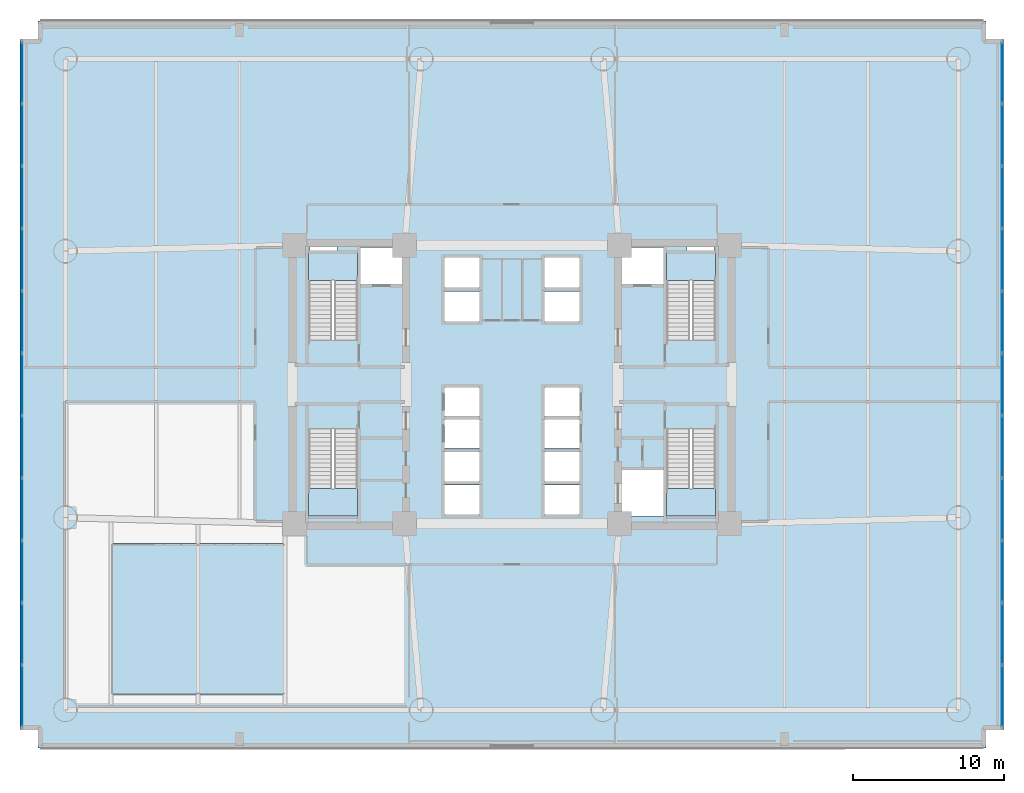
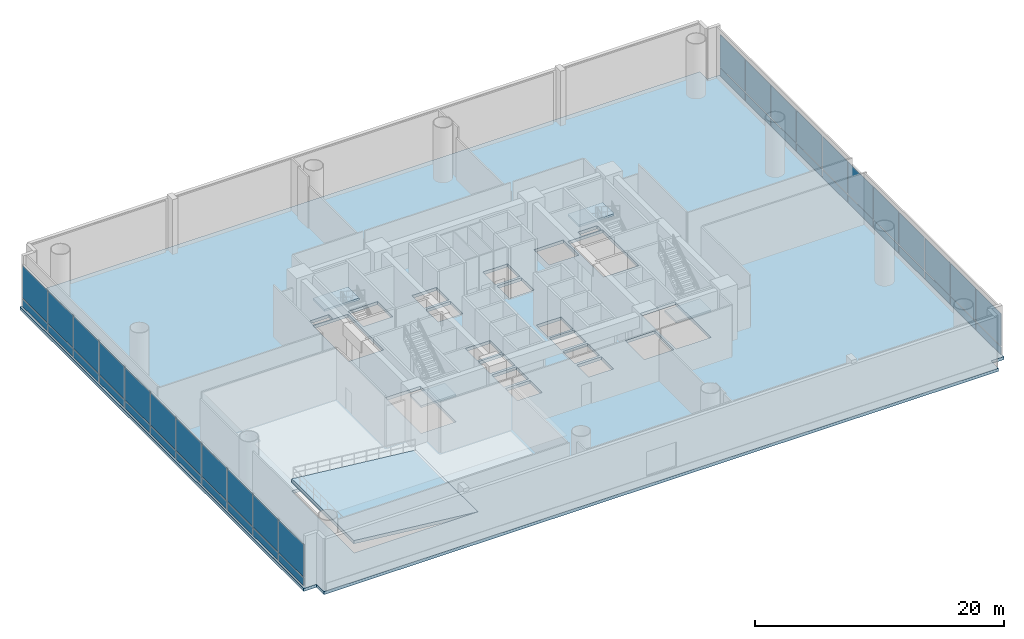
# One storey, part 6 of 15: 44 plates, 6 slabs, 6 elements without a shape of their own.
"""IFC4 building model written with IfcOpenShell, lengths in metres."""

from ifc_helpers import new_model, si_unit, direction, frame, origin, origin_2d, place, context, subcontext, project, spatial, polyline, rectangle, outline, extrude, source, transform, mapped, material, layer, layer_set, type_object, element, aggregate, save


model = new_model("IFC4")

# Units and contexts
model_context = context("Model", 3, precision=1e-05, world=origin(), true_north=direction((0.0, 1.0)))
body_context = subcontext(model_context, "Body", "Model", "MODEL_VIEW")
ifc_project = project(units=[si_unit("LENGTHUNIT", "METRE"), si_unit("AREAUNIT", "SQUARE_METRE"), si_unit("VOLUMEUNIT", "CUBIC_METRE"), si_unit("PLANEANGLEUNIT", "RADIAN"), si_unit("MASSUNIT", "GRAM", prefix="KILO")], contexts=[model_context])

# Site, building, storey
site_placement = place(None, origin())
site = spatial("IfcSite", under=ifc_project, at=site_placement, CompositionType="ELEMENT")
building_placement = place(site_placement, origin())
building = spatial("IfcBuilding", under=site, at=building_placement, Name="Zahravan Cultural Tower", CompositionType="ELEMENT")
storey_placement = place(building_placement, frame((0.0, 0.0, 12.60009765625)))
storey = spatial("IfcBuildingStorey", under=building, at=storey_placement, Name="L02", CompositionType="ELEMENT", Elevation=12.60009765625)

# Slabs
ifc_material_1 = material(Name="Concrete C45/55", Category="concrete")
ifc_layer_1 = layer(ifc_material_1, 0.320068359375)
ifc_layer_set_1 = layer_set([ifc_layer_1], Name="Concrete C45/55")
slab_type_1 = type_object("IfcSlabType", Name="SL-AUD-320", PredefinedType="FLOOR", material=ifc_layer_set_1)
slab_1_placement = place(storey_placement, frame((21.0, 6.5, 0.0), z_axis=(0.103780152108, 0.0, 0.994600261426), x_axis=(0.0, 1.0, 0.0)))
element("IfcSlab", 1, at=slab_1_placement, inside=storey, type_object=slab_type_1, Name="L02 Raked Auditorium Seating Bowl Slab", PredefinedType="FLOOR", context=body_context, shape_type="SweptSolid", body=[
    extrude(outline(polyline([(0.0, 0.0), (10.0, 0.0), (10.0, 11.562434121537047), (0.0, 11.562434121537047), (0.0, 0.0)])), origin(), (0.0, 0.0, -1.0), 0.320068359375),
])
ifc_layer_2 = layer(ifc_material_1, 0.300048828125)
ifc_layer_set_2 = layer_set([ifc_layer_2], Name="Concrete C45/55")
slab_type_2 = type_object("IfcSlabType", Name="SL-POD-300", PredefinedType="FLOOR", material=ifc_layer_set_2)
slab_2_placement = place(storey_placement, frame((0.0, 0.0, -0.300048828125)))
element("IfcSlab", 2, at=slab_2_placement, inside=storey, type_object=slab_type_2, Name="L02 Structural Floor Slab", PredefinedType="FLOOR", context=body_context, shape_type="SweptSolid", body=[
    extrude(outline(polyline([(68.5, 49.800048828125), (67.300048828125, 49.800048828125), (67.300048828125, 51.0), (4.699951171875, 51.0), (4.699951171875, 49.800048828125), (3.5, 49.800048828125), (3.5, 4.199951171875), (4.699951171875, 4.199951171875), (4.699951171875, 3.0), (67.300048828125, 3.0), (67.300048828125, 4.199951171875), (68.5, 4.199951171875), (68.5, 49.800048828125)]), holes=[polyline([(22.550048828125, 29.949951171875), (22.550048828125, 35.699951171875), (25.800048828125, 35.699951171875), (25.800048828125, 29.949951171875), (22.550048828125, 29.949951171875)]), polyline([(22.550048828125, 18.300048828125), (22.550048828125, 24.050048828125), (25.800048828125, 24.050048828125), (25.800048828125, 18.300048828125), (22.550048828125, 18.300048828125)]), polyline([(46.199951171875, 29.949951171875), (46.199951171875, 35.699951171875), (49.449951171875, 35.699951171875), (49.449951171875, 29.949951171875), (46.199951171875, 29.949951171875)]), polyline([(46.199951171875, 18.300048828125), (46.199951171875, 24.050048828125), (49.449951171875, 24.050048828125), (49.449951171875, 18.300048828125), (46.199951171875, 18.300048828125)]), polyline([(26.0, 33.60009765625), (26.0, 36.050048828125), (28.75, 36.050048828125), (28.75, 33.60009765625), (26.0, 33.60009765625)]), polyline([(43.25, 33.60009765625), (43.25, 36.050048828125), (46.0, 36.050048828125), (46.0, 33.60009765625), (43.25, 33.60009765625)]), polyline([(43.25, 18.300048828125), (43.25, 21.35009765625), (46.0, 21.35009765625), (46.0, 18.300048828125), (43.25, 18.300048828125)]), polyline([(31.550048828125, 33.39990234375), (31.550048828125, 35.39990234375), (33.85009765625, 35.39990234375), (33.85009765625, 33.39990234375), (31.550048828125, 33.39990234375)]), polyline([(31.550048828125, 31.14990234375), (31.550048828125, 33.14990234375), (33.85009765625, 33.14990234375), (33.85009765625, 31.14990234375), (31.550048828125, 31.14990234375)]), polyline([(38.14990234375, 33.39990234375), (38.14990234375, 35.39990234375), (40.449951171875, 35.39990234375), (40.449951171875, 33.39990234375), (38.14990234375, 33.39990234375)]), polyline([(38.14990234375, 31.14990234375), (38.14990234375, 33.14990234375), (40.449951171875, 33.14990234375), (40.449951171875, 31.14990234375), (38.14990234375, 31.14990234375)]), polyline([(31.550048828125, 20.60009765625), (31.550048828125, 22.550048828125), (33.85009765625, 22.550048828125), (33.85009765625, 20.60009765625), (31.550048828125, 20.60009765625)]), polyline([(31.550048828125, 18.39990234375), (31.550048828125, 20.35009765625), (33.85009765625, 20.35009765625), (33.85009765625, 18.39990234375), (31.550048828125, 18.39990234375)]), polyline([(38.14990234375, 20.60009765625), (38.14990234375, 22.550048828125), (40.449951171875, 22.550048828125), (40.449951171875, 20.60009765625), (38.14990234375, 20.60009765625)]), polyline([(38.14990234375, 18.39990234375), (38.14990234375, 20.35009765625), (40.449951171875, 20.35009765625), (40.449951171875, 18.39990234375), (38.14990234375, 18.39990234375)]), polyline([(31.550048828125, 24.89990234375), (31.550048828125, 26.800048828125), (33.85009765625, 26.800048828125), (33.85009765625, 24.89990234375), (31.550048828125, 24.89990234375)]), polyline([(31.550048828125, 22.800048828125), (31.550048828125, 24.699951171875), (33.85009765625, 24.699951171875), (33.85009765625, 22.800048828125), (31.550048828125, 22.800048828125)]), polyline([(38.14990234375, 24.89990234375), (38.14990234375, 26.800048828125), (40.449951171875, 26.800048828125), (40.449951171875, 24.89990234375), (38.14990234375, 24.89990234375)]), polyline([(38.14990234375, 22.800048828125), (38.14990234375, 24.699951171875), (40.449951171875, 24.699951171875), (40.449951171875, 22.800048828125), (38.14990234375, 22.800048828125)]), polyline([(22.64990234375, 35.800048828125), (22.64990234375, 36.419921875), (24.449951171875, 36.419921875), (24.449951171875, 35.800048828125), (22.64990234375, 35.800048828125)]), polyline([(47.550048828125, 35.800048828125), (47.550048828125, 36.419921875), (49.35009765625, 36.419921875), (49.35009765625, 35.800048828125), (47.550048828125, 35.800048828125)]), polyline([(9.5, 6.5), (9.5, 16.5), (21.0, 16.5), (21.0, 6.5), (9.5, 6.5)])]), origin(), (0.0, 0.0, 1.0), 0.300048828125),
])

# Stair, slab
stair_type = type_object("IfcStairType", Name="STR-DL-1550-540", PredefinedType="HALF_TURN_STAIR", material=ifc_material_1)
stair_1_placement = place(storey_placement, origin())
stair_1 = element("IfcStair", 3, at=stair_1_placement, inside=storey, type_object=stair_type, Name="L02 West Core North Exit Stair ST-W1", PredefinedType="HALF_TURN_STAIR")
ifc_layer_3 = layer(ifc_material_1, 0.199951171875)
ifc_layer_set_3 = layer_set([ifc_layer_3], Name="Concrete C45/55")
slab_type_3 = type_object("IfcSlabType", Name="SL-STAIR-LND200", PredefinedType="LANDING", material=ifc_layer_set_3)
slab_3_placement = place(storey_placement, frame((0.0, 0.0, 2.5)))
slab_3 = element("IfcSlab", 4, at=slab_3_placement, type_object=slab_type_3, Name="ST-W1 landing 1", PredefinedType="LANDING", context=body_context, shape_type="SweptSolid", body=[
    extrude(outline(polyline([(25.800048828125, 33.8701171875), (25.800048828125, 35.699951171875), (22.550048828125, 35.699951171875), (22.550048828125, 33.8701171875), (25.800048828125, 33.8701171875)])), origin(), (0.0, 0.0, 1.0), 0.199951171875),
])
aggregate(stair_1, [slab_3])

stair_2_placement = place(storey_placement, origin())
stair_2 = element("IfcStair", 5, at=stair_2_placement, inside=storey, type_object=stair_type, Name="L02 West Core South Exit Stair ST-W2", PredefinedType="HALF_TURN_STAIR")
slab_4_placement = place(storey_placement, frame((0.0, 0.0, 2.5)))
slab_4 = element("IfcSlab", 6, at=slab_4_placement, type_object=slab_type_3, Name="ST-W2 landing 1", PredefinedType="LANDING", context=body_context, shape_type="SweptSolid", body=[
    extrude(outline(polyline([(22.550048828125, 20.1298828125), (22.550048828125, 18.300048828125), (25.800048828125, 18.300048828125), (25.800048828125, 20.1298828125), (22.550048828125, 20.1298828125)])), origin(), (0.0, 0.0, 1.0), 0.199951171875),
])
aggregate(stair_2, [slab_4])

stair_3_placement = place(storey_placement, origin())
stair_3 = element("IfcStair", 7, at=stair_3_placement, inside=storey, type_object=stair_type, Name="L02 East Core North Exit Stair ST-E1", PredefinedType="HALF_TURN_STAIR")
slab_5_placement = place(storey_placement, frame((0.0, 0.0, 2.5)))
slab_5 = element("IfcSlab", 8, at=slab_5_placement, type_object=slab_type_3, Name="ST-E1 landing 1", PredefinedType="LANDING", context=body_context, shape_type="SweptSolid", body=[
    extrude(outline(polyline([(49.449951171875, 33.8701171875), (49.449951171875, 35.699951171875), (46.199951171875, 35.699951171875), (46.199951171875, 33.8701171875), (49.449951171875, 33.8701171875)])), origin(), (0.0, 0.0, 1.0), 0.199951171875),
])
aggregate(stair_3, [slab_5])

stair_4_placement = place(storey_placement, origin())
stair_4 = element("IfcStair", 9, at=stair_4_placement, inside=storey, type_object=stair_type, Name="L02 East Core South Exit Stair ST-E2", PredefinedType="HALF_TURN_STAIR")
slab_6_placement = place(storey_placement, frame((0.0, 0.0, 2.5)))
slab_6 = element("IfcSlab", 10, at=slab_6_placement, type_object=slab_type_3, Name="ST-E2 landing 1", PredefinedType="LANDING", context=body_context, shape_type="SweptSolid", body=[
    extrude(outline(polyline([(46.199951171875, 20.1298828125), (46.199951171875, 18.300048828125), (49.449951171875, 18.300048828125), (49.449951171875, 20.1298828125), (46.199951171875, 20.1298828125)])), origin(), (0.0, 0.0, 1.0), 0.199951171875),
])
aggregate(stair_4, [slab_6])

# Curtain wall, plates
ifc_material_2 = material(Name="Anodised bronze-aluminium mullion", Category="aluminium")
ifc_layer_4 = layer(ifc_material_2, 0.239990234375)
ifc_layer_set_4 = layer_set([ifc_layer_4], Name="Anodised bronze-aluminium mullion")
curtain_wall_type = type_object("IfcCurtainWallType", Name="CW-SYS-5", PredefinedType="USERDEFINED", material=ifc_layer_set_4)
curtain_wall_1_placement = place(storey_placement, origin())
curtain_wall_1 = element("IfcCurtainWall", 11, at=curtain_wall_1_placement, inside=storey, type_object=curtain_wall_type, Name="L02 Recessed Curtain Wall CW-5.1", ObjectType="RECESSED GLAZING", PredefinedType="USERDEFINED")
ifc_material_3 = material(Name="Low-E solar-control double glazing", Category="glass")
ifc_layer_5 = layer(ifc_material_3, 0.035888671875)
ifc_layer_set_5 = layer_set([ifc_layer_5], Name="Low-E solar-control double glazing")
plate_type = type_object("IfcPlateType", Name="CWP-CW-5", PredefinedType="CURTAIN_PANEL", material=ifc_layer_set_5)
shared_shape_1 = source(origin(), body_context, "Body", "SweptSolid", [
    extrude(rectangle(XDim=3.992431640625, YDim=0.035888671875, at=origin_2d()), origin(), (0.0, 0.0, 1.0), 0.7724609375),
])
plate_1_placement = place(storey_placement, frame((68.360107421875, 47.578857421875, 0.0849609375), z_axis=(0.0, 0.0, 1.0), x_axis=(0.0, -1.0, 0.0)))
plate_1 = element("IfcPlate", 12, at=plate_1_placement, type_object=plate_type, Name="CW-5 panel 1.1", PredefinedType="CURTAIN_PANEL", context=body_context, shape_type="MappedRepresentation", body=[
    mapped(shared_shape_1, transform((0.0, 0.0, 0.0), x_axis=(1.0, 0.0, 0.0), y_axis=(0.0, 1.0, 0.0), z_axis=(0.0, 0.0, 1.0), scale=1.0)),
])
plate_2_placement = place(storey_placement, frame((68.360107421875, 6.421142578125, 0.0849609375), z_axis=(0.0, 0.0, 1.0), x_axis=(0.0, -1.0, 0.0)))
plate_2 = element("IfcPlate", 13, at=plate_2_placement, type_object=plate_type, Name="CW-5 panel 11.1", PredefinedType="CURTAIN_PANEL", context=body_context, shape_type="MappedRepresentation", body=[
    mapped(shared_shape_1, transform((0.0, 0.0, 0.0), x_axis=(1.0, 0.0, 0.0), y_axis=(0.0, 1.0, 0.0), z_axis=(0.0, 0.0, 1.0), scale=1.0)),
])

curtain_wall_2_placement = place(storey_placement, origin())
curtain_wall_2 = element("IfcCurtainWall", 14, at=curtain_wall_2_placement, inside=storey, type_object=curtain_wall_type, Name="L02 Recessed Curtain Wall CW-5.2", ObjectType="RECESSED GLAZING", PredefinedType="USERDEFINED")
plate_3_placement = place(storey_placement, frame((3.639892578125, 6.421142578125, 0.0849609375), z_axis=(0.0, 0.0, 1.0), x_axis=(0.0, 1.0, 0.0)))
plate_3 = element("IfcPlate", 15, at=plate_3_placement, type_object=plate_type, Name="CW-5 panel 1.1", PredefinedType="CURTAIN_PANEL", context=body_context, shape_type="MappedRepresentation", body=[
    mapped(shared_shape_1, transform((0.0, 0.0, 0.0), x_axis=(1.0, 0.0, 0.0), y_axis=(0.0, 1.0, 0.0), z_axis=(0.0, 0.0, 1.0), scale=1.0)),
])
plate_4_placement = place(storey_placement, frame((3.639892578125, 47.578857421875, 0.0849609375), z_axis=(0.0, 0.0, 1.0), x_axis=(0.0, 1.0, 0.0)))
plate_4 = element("IfcPlate", 16, at=plate_4_placement, type_object=plate_type, Name="CW-5 panel 11.1", PredefinedType="CURTAIN_PANEL", context=body_context, shape_type="MappedRepresentation", body=[
    mapped(shared_shape_1, transform((0.0, 0.0, 0.0), x_axis=(1.0, 0.0, 0.0), y_axis=(0.0, 1.0, 0.0), z_axis=(0.0, 0.0, 1.0), scale=1.0)),
])

# Plate
shared_shape_2 = source(origin(), body_context, "Body", "SweptSolid", [
    extrude(rectangle(XDim=3.992431640625, YDim=0.035888671875, at=origin_2d()), origin(), (0.0, 0.0, 1.0), 3.1923828125),
])
plate_5_placement = place(storey_placement, frame((68.360107421875, 47.578857421875, 0.9423828125), z_axis=(0.0, 0.0, 1.0), x_axis=(0.0, -1.0, 0.0)))
plate_5 = element("IfcPlate", 17, at=plate_5_placement, type_object=plate_type, Name="CW-5 panel 1.2", PredefinedType="CURTAIN_PANEL", context=body_context, shape_type="MappedRepresentation", body=[
    mapped(shared_shape_2, transform((0.0, 0.0, 0.0), x_axis=(1.0, 0.0, 0.0), y_axis=(0.0, 1.0, 0.0), z_axis=(0.0, 0.0, 1.0), scale=1.0)),
])

plate_6_placement = place(storey_placement, frame((68.360107421875, 6.421142578125, 0.9423828125), z_axis=(0.0, 0.0, 1.0), x_axis=(0.0, -1.0, 0.0)))
plate_6 = element("IfcPlate", 18, at=plate_6_placement, type_object=plate_type, Name="CW-5 panel 11.2", PredefinedType="CURTAIN_PANEL", context=body_context, shape_type="MappedRepresentation", body=[
    mapped(shared_shape_2, transform((0.0, 0.0, 0.0), x_axis=(1.0, 0.0, 0.0), y_axis=(0.0, 1.0, 0.0), z_axis=(0.0, 0.0, 1.0), scale=1.0)),
])

plate_7_placement = place(storey_placement, frame((3.639892578125, 6.421142578125, 0.9423828125), z_axis=(0.0, 0.0, 1.0), x_axis=(0.0, 1.0, 0.0)))
plate_7 = element("IfcPlate", 19, at=plate_7_placement, type_object=plate_type, Name="CW-5 panel 1.2", PredefinedType="CURTAIN_PANEL", context=body_context, shape_type="MappedRepresentation", body=[
    mapped(shared_shape_2, transform((0.0, 0.0, 0.0), x_axis=(1.0, 0.0, 0.0), y_axis=(0.0, 1.0, 0.0), z_axis=(0.0, 0.0, 1.0), scale=1.0)),
])

plate_8_placement = place(storey_placement, frame((3.639892578125, 47.578857421875, 0.9423828125), z_axis=(0.0, 0.0, 1.0), x_axis=(0.0, 1.0, 0.0)))
plate_8 = element("IfcPlate", 20, at=plate_8_placement, type_object=plate_type, Name="CW-5 panel 11.2", PredefinedType="CURTAIN_PANEL", context=body_context, shape_type="MappedRepresentation", body=[
    mapped(shared_shape_2, transform((0.0, 0.0, 0.0), x_axis=(1.0, 0.0, 0.0), y_axis=(0.0, 1.0, 0.0), z_axis=(0.0, 0.0, 1.0), scale=1.0)),
])

shared_shape_3 = source(origin(), body_context, "Body", "SweptSolid", [
    extrude(rectangle(XDim=4.034912109375, YDim=0.035888671875, at=origin_2d()), origin(), (0.0, 0.0, 1.0), 0.7724609375),
])
plate_9_placement = place(storey_placement, frame((68.360107421875, 43.47998046875, 0.0849609375), z_axis=(0.0, 0.0, 1.0), x_axis=(0.0, -1.0, 0.0)))
plate_9 = element("IfcPlate", 21, at=plate_9_placement, type_object=plate_type, Name="CW-5 panel 2.1", PredefinedType="CURTAIN_PANEL", context=body_context, shape_type="MappedRepresentation", body=[
    mapped(shared_shape_3, transform((0.0, 0.0, 0.0), x_axis=(1.0, 0.0, 0.0), y_axis=(0.0, 1.0, 0.0), z_axis=(0.0, 0.0, 1.0), scale=1.0)),
])

plate_10_placement = place(storey_placement, frame((68.360107421875, 39.360107421875, 0.0849609375), z_axis=(0.0, 0.0, 1.0), x_axis=(0.0, -1.0, 0.0)))
plate_10 = element("IfcPlate", 22, at=plate_10_placement, type_object=plate_type, Name="CW-5 panel 3.1", PredefinedType="CURTAIN_PANEL", context=body_context, shape_type="MappedRepresentation", body=[
    mapped(shared_shape_3, transform((0.0, 0.0, 0.0), x_axis=(1.0, 0.0, 0.0), y_axis=(0.0, 1.0, 0.0), z_axis=(0.0, 0.0, 1.0), scale=1.0)),
])

plate_11_placement = place(storey_placement, frame((68.360107421875, 35.239990234375, 0.0849609375), z_axis=(0.0, 0.0, 1.0), x_axis=(0.0, -1.0, 0.0)))
plate_11 = element("IfcPlate", 23, at=plate_11_placement, type_object=plate_type, Name="CW-5 panel 4.1", PredefinedType="CURTAIN_PANEL", context=body_context, shape_type="MappedRepresentation", body=[
    mapped(shared_shape_3, transform((0.0, 0.0, 0.0), x_axis=(1.0, 0.0, 0.0), y_axis=(0.0, 1.0, 0.0), z_axis=(0.0, 0.0, 1.0), scale=1.0)),
])

plate_12_placement = place(storey_placement, frame((68.360107421875, 31.1201171875, 0.0849609375), z_axis=(0.0, 0.0, 1.0), x_axis=(0.0, -1.0, 0.0)))
plate_12 = element("IfcPlate", 24, at=plate_12_placement, type_object=plate_type, Name="CW-5 panel 5.1", PredefinedType="CURTAIN_PANEL", context=body_context, shape_type="MappedRepresentation", body=[
    mapped(shared_shape_3, transform((0.0, 0.0, 0.0), x_axis=(1.0, 0.0, 0.0), y_axis=(0.0, 1.0, 0.0), z_axis=(0.0, 0.0, 1.0), scale=1.0)),
])

plate_13_placement = place(storey_placement, frame((68.360107421875, 27.0, 0.0849609375), z_axis=(0.0, 0.0, 1.0), x_axis=(0.0, -1.0, 0.0)))
plate_13 = element("IfcPlate", 25, at=plate_13_placement, type_object=plate_type, Name="CW-5 panel 6.1", PredefinedType="CURTAIN_PANEL", context=body_context, shape_type="MappedRepresentation", body=[
    mapped(shared_shape_3, transform((0.0, 0.0, 0.0), x_axis=(1.0, 0.0, 0.0), y_axis=(0.0, 1.0, 0.0), z_axis=(0.0, 0.0, 1.0), scale=1.0)),
])

plate_14_placement = place(storey_placement, frame((68.360107421875, 22.8798828125, 0.0849609375), z_axis=(0.0, 0.0, 1.0), x_axis=(0.0, -1.0, 0.0)))
plate_14 = element("IfcPlate", 26, at=plate_14_placement, type_object=plate_type, Name="CW-5 panel 7.1", PredefinedType="CURTAIN_PANEL", context=body_context, shape_type="MappedRepresentation", body=[
    mapped(shared_shape_3, transform((0.0, 0.0, 0.0), x_axis=(1.0, 0.0, 0.0), y_axis=(0.0, 1.0, 0.0), z_axis=(0.0, 0.0, 1.0), scale=1.0)),
])

plate_15_placement = place(storey_placement, frame((68.360107421875, 18.760009765625, 0.0849609375), z_axis=(0.0, 0.0, 1.0), x_axis=(0.0, -1.0, 0.0)))
plate_15 = element("IfcPlate", 27, at=plate_15_placement, type_object=plate_type, Name="CW-5 panel 8.1", PredefinedType="CURTAIN_PANEL", context=body_context, shape_type="MappedRepresentation", body=[
    mapped(shared_shape_3, transform((0.0, 0.0, 0.0), x_axis=(1.0, 0.0, 0.0), y_axis=(0.0, 1.0, 0.0), z_axis=(0.0, 0.0, 1.0), scale=1.0)),
])

plate_16_placement = place(storey_placement, frame((68.360107421875, 14.639892578125, 0.0849609375), z_axis=(0.0, 0.0, 1.0), x_axis=(0.0, -1.0, 0.0)))
plate_16 = element("IfcPlate", 28, at=plate_16_placement, type_object=plate_type, Name="CW-5 panel 9.1", PredefinedType="CURTAIN_PANEL", context=body_context, shape_type="MappedRepresentation", body=[
    mapped(shared_shape_3, transform((0.0, 0.0, 0.0), x_axis=(1.0, 0.0, 0.0), y_axis=(0.0, 1.0, 0.0), z_axis=(0.0, 0.0, 1.0), scale=1.0)),
])

plate_17_placement = place(storey_placement, frame((68.360107421875, 10.52001953125, 0.0849609375), z_axis=(0.0, 0.0, 1.0), x_axis=(0.0, -1.0, 0.0)))
plate_17 = element("IfcPlate", 29, at=plate_17_placement, type_object=plate_type, Name="CW-5 panel 10.1", PredefinedType="CURTAIN_PANEL", context=body_context, shape_type="MappedRepresentation", body=[
    mapped(shared_shape_3, transform((0.0, 0.0, 0.0), x_axis=(1.0, 0.0, 0.0), y_axis=(0.0, 1.0, 0.0), z_axis=(0.0, 0.0, 1.0), scale=1.0)),
])

plate_18_placement = place(storey_placement, frame((3.639892578125, 10.52001953125, 0.0849609375), z_axis=(0.0, 0.0, 1.0), x_axis=(0.0, 1.0, 0.0)))
plate_18 = element("IfcPlate", 30, at=plate_18_placement, type_object=plate_type, Name="CW-5 panel 2.1", PredefinedType="CURTAIN_PANEL", context=body_context, shape_type="MappedRepresentation", body=[
    mapped(shared_shape_3, transform((0.0, 0.0, 0.0), x_axis=(1.0, 0.0, 0.0), y_axis=(0.0, 1.0, 0.0), z_axis=(0.0, 0.0, 1.0), scale=1.0)),
])

plate_19_placement = place(storey_placement, frame((3.639892578125, 14.639892578125, 0.0849609375), z_axis=(0.0, 0.0, 1.0), x_axis=(0.0, 1.0, 0.0)))
plate_19 = element("IfcPlate", 31, at=plate_19_placement, type_object=plate_type, Name="CW-5 panel 3.1", PredefinedType="CURTAIN_PANEL", context=body_context, shape_type="MappedRepresentation", body=[
    mapped(shared_shape_3, transform((0.0, 0.0, 0.0), x_axis=(1.0, 0.0, 0.0), y_axis=(0.0, 1.0, 0.0), z_axis=(0.0, 0.0, 1.0), scale=1.0)),
])

plate_20_placement = place(storey_placement, frame((3.639892578125, 18.760009765625, 0.0849609375), z_axis=(0.0, 0.0, 1.0), x_axis=(0.0, 1.0, 0.0)))
plate_20 = element("IfcPlate", 32, at=plate_20_placement, type_object=plate_type, Name="CW-5 panel 4.1", PredefinedType="CURTAIN_PANEL", context=body_context, shape_type="MappedRepresentation", body=[
    mapped(shared_shape_3, transform((0.0, 0.0, 0.0), x_axis=(1.0, 0.0, 0.0), y_axis=(0.0, 1.0, 0.0), z_axis=(0.0, 0.0, 1.0), scale=1.0)),
])

plate_21_placement = place(storey_placement, frame((3.639892578125, 22.8798828125, 0.0849609375), z_axis=(0.0, 0.0, 1.0), x_axis=(0.0, 1.0, 0.0)))
plate_21 = element("IfcPlate", 33, at=plate_21_placement, type_object=plate_type, Name="CW-5 panel 5.1", PredefinedType="CURTAIN_PANEL", context=body_context, shape_type="MappedRepresentation", body=[
    mapped(shared_shape_3, transform((0.0, 0.0, 0.0), x_axis=(1.0, 0.0, 0.0), y_axis=(0.0, 1.0, 0.0), z_axis=(0.0, 0.0, 1.0), scale=1.0)),
])

plate_22_placement = place(storey_placement, frame((3.639892578125, 27.0, 0.0849609375), z_axis=(0.0, 0.0, 1.0), x_axis=(0.0, 1.0, 0.0)))
plate_22 = element("IfcPlate", 34, at=plate_22_placement, type_object=plate_type, Name="CW-5 panel 6.1", PredefinedType="CURTAIN_PANEL", context=body_context, shape_type="MappedRepresentation", body=[
    mapped(shared_shape_3, transform((0.0, 0.0, 0.0), x_axis=(1.0, 0.0, 0.0), y_axis=(0.0, 1.0, 0.0), z_axis=(0.0, 0.0, 1.0), scale=1.0)),
])

plate_23_placement = place(storey_placement, frame((3.639892578125, 31.1201171875, 0.0849609375), z_axis=(0.0, 0.0, 1.0), x_axis=(0.0, 1.0, 0.0)))
plate_23 = element("IfcPlate", 35, at=plate_23_placement, type_object=plate_type, Name="CW-5 panel 7.1", PredefinedType="CURTAIN_PANEL", context=body_context, shape_type="MappedRepresentation", body=[
    mapped(shared_shape_3, transform((0.0, 0.0, 0.0), x_axis=(1.0, 0.0, 0.0), y_axis=(0.0, 1.0, 0.0), z_axis=(0.0, 0.0, 1.0), scale=1.0)),
])

plate_24_placement = place(storey_placement, frame((3.639892578125, 35.239990234375, 0.0849609375), z_axis=(0.0, 0.0, 1.0), x_axis=(0.0, 1.0, 0.0)))
plate_24 = element("IfcPlate", 36, at=plate_24_placement, type_object=plate_type, Name="CW-5 panel 8.1", PredefinedType="CURTAIN_PANEL", context=body_context, shape_type="MappedRepresentation", body=[
    mapped(shared_shape_3, transform((0.0, 0.0, 0.0), x_axis=(1.0, 0.0, 0.0), y_axis=(0.0, 1.0, 0.0), z_axis=(0.0, 0.0, 1.0), scale=1.0)),
])

plate_25_placement = place(storey_placement, frame((3.639892578125, 39.360107421875, 0.0849609375), z_axis=(0.0, 0.0, 1.0), x_axis=(0.0, 1.0, 0.0)))
plate_25 = element("IfcPlate", 37, at=plate_25_placement, type_object=plate_type, Name="CW-5 panel 9.1", PredefinedType="CURTAIN_PANEL", context=body_context, shape_type="MappedRepresentation", body=[
    mapped(shared_shape_3, transform((0.0, 0.0, 0.0), x_axis=(1.0, 0.0, 0.0), y_axis=(0.0, 1.0, 0.0), z_axis=(0.0, 0.0, 1.0), scale=1.0)),
])

plate_26_placement = place(storey_placement, frame((3.639892578125, 43.47998046875, 0.0849609375), z_axis=(0.0, 0.0, 1.0), x_axis=(0.0, 1.0, 0.0)))
plate_26 = element("IfcPlate", 38, at=plate_26_placement, type_object=plate_type, Name="CW-5 panel 10.1", PredefinedType="CURTAIN_PANEL", context=body_context, shape_type="MappedRepresentation", body=[
    mapped(shared_shape_3, transform((0.0, 0.0, 0.0), x_axis=(1.0, 0.0, 0.0), y_axis=(0.0, 1.0, 0.0), z_axis=(0.0, 0.0, 1.0), scale=1.0)),
])

shared_shape_4 = source(origin(), body_context, "Body", "SweptSolid", [
    extrude(rectangle(XDim=4.034912109375, YDim=0.035888671875, at=origin_2d()), origin(), (0.0, 0.0, 1.0), 3.1923828125),
])
plate_27_placement = place(storey_placement, frame((68.360107421875, 43.47998046875, 0.9423828125), z_axis=(0.0, 0.0, 1.0), x_axis=(0.0, -1.0, 0.0)))
plate_27 = element("IfcPlate", 39, at=plate_27_placement, type_object=plate_type, Name="CW-5 panel 2.2", PredefinedType="CURTAIN_PANEL", context=body_context, shape_type="MappedRepresentation", body=[
    mapped(shared_shape_4, transform((0.0, 0.0, 0.0), x_axis=(1.0, 0.0, 0.0), y_axis=(0.0, 1.0, 0.0), z_axis=(0.0, 0.0, 1.0), scale=1.0)),
])

plate_28_placement = place(storey_placement, frame((68.360107421875, 39.360107421875, 0.9423828125), z_axis=(0.0, 0.0, 1.0), x_axis=(0.0, -1.0, 0.0)))
plate_28 = element("IfcPlate", 40, at=plate_28_placement, type_object=plate_type, Name="CW-5 panel 3.2", PredefinedType="CURTAIN_PANEL", context=body_context, shape_type="MappedRepresentation", body=[
    mapped(shared_shape_4, transform((0.0, 0.0, 0.0), x_axis=(1.0, 0.0, 0.0), y_axis=(0.0, 1.0, 0.0), z_axis=(0.0, 0.0, 1.0), scale=1.0)),
])

plate_29_placement = place(storey_placement, frame((68.360107421875, 35.239990234375, 0.9423828125), z_axis=(0.0, 0.0, 1.0), x_axis=(0.0, -1.0, 0.0)))
plate_29 = element("IfcPlate", 41, at=plate_29_placement, type_object=plate_type, Name="CW-5 panel 4.2", PredefinedType="CURTAIN_PANEL", context=body_context, shape_type="MappedRepresentation", body=[
    mapped(shared_shape_4, transform((0.0, 0.0, 0.0), x_axis=(1.0, 0.0, 0.0), y_axis=(0.0, 1.0, 0.0), z_axis=(0.0, 0.0, 1.0), scale=1.0)),
])

plate_30_placement = place(storey_placement, frame((68.360107421875, 31.1201171875, 0.9423828125), z_axis=(0.0, 0.0, 1.0), x_axis=(0.0, -1.0, 0.0)))
plate_30 = element("IfcPlate", 42, at=plate_30_placement, type_object=plate_type, Name="CW-5 panel 5.2", PredefinedType="CURTAIN_PANEL", context=body_context, shape_type="MappedRepresentation", body=[
    mapped(shared_shape_4, transform((0.0, 0.0, 0.0), x_axis=(1.0, 0.0, 0.0), y_axis=(0.0, 1.0, 0.0), z_axis=(0.0, 0.0, 1.0), scale=1.0)),
])

plate_31_placement = place(storey_placement, frame((68.360107421875, 27.0, 0.9423828125), z_axis=(0.0, 0.0, 1.0), x_axis=(0.0, -1.0, 0.0)))
plate_31 = element("IfcPlate", 43, at=plate_31_placement, type_object=plate_type, Name="CW-5 panel 6.2", PredefinedType="CURTAIN_PANEL", context=body_context, shape_type="MappedRepresentation", body=[
    mapped(shared_shape_4, transform((0.0, 0.0, 0.0), x_axis=(1.0, 0.0, 0.0), y_axis=(0.0, 1.0, 0.0), z_axis=(0.0, 0.0, 1.0), scale=1.0)),
])

plate_32_placement = place(storey_placement, frame((68.360107421875, 22.8798828125, 0.9423828125), z_axis=(0.0, 0.0, 1.0), x_axis=(0.0, -1.0, 0.0)))
plate_32 = element("IfcPlate", 44, at=plate_32_placement, type_object=plate_type, Name="CW-5 panel 7.2", PredefinedType="CURTAIN_PANEL", context=body_context, shape_type="MappedRepresentation", body=[
    mapped(shared_shape_4, transform((0.0, 0.0, 0.0), x_axis=(1.0, 0.0, 0.0), y_axis=(0.0, 1.0, 0.0), z_axis=(0.0, 0.0, 1.0), scale=1.0)),
])

plate_33_placement = place(storey_placement, frame((68.360107421875, 18.760009765625, 0.9423828125), z_axis=(0.0, 0.0, 1.0), x_axis=(0.0, -1.0, 0.0)))
plate_33 = element("IfcPlate", 45, at=plate_33_placement, type_object=plate_type, Name="CW-5 panel 8.2", PredefinedType="CURTAIN_PANEL", context=body_context, shape_type="MappedRepresentation", body=[
    mapped(shared_shape_4, transform((0.0, 0.0, 0.0), x_axis=(1.0, 0.0, 0.0), y_axis=(0.0, 1.0, 0.0), z_axis=(0.0, 0.0, 1.0), scale=1.0)),
])

plate_34_placement = place(storey_placement, frame((68.360107421875, 14.639892578125, 0.9423828125), z_axis=(0.0, 0.0, 1.0), x_axis=(0.0, -1.0, 0.0)))
plate_34 = element("IfcPlate", 46, at=plate_34_placement, type_object=plate_type, Name="CW-5 panel 9.2", PredefinedType="CURTAIN_PANEL", context=body_context, shape_type="MappedRepresentation", body=[
    mapped(shared_shape_4, transform((0.0, 0.0, 0.0), x_axis=(1.0, 0.0, 0.0), y_axis=(0.0, 1.0, 0.0), z_axis=(0.0, 0.0, 1.0), scale=1.0)),
])

plate_35_placement = place(storey_placement, frame((68.360107421875, 10.52001953125, 0.9423828125), z_axis=(0.0, 0.0, 1.0), x_axis=(0.0, -1.0, 0.0)))
plate_35 = element("IfcPlate", 47, at=plate_35_placement, type_object=plate_type, Name="CW-5 panel 10.2", PredefinedType="CURTAIN_PANEL", context=body_context, shape_type="MappedRepresentation", body=[
    mapped(shared_shape_4, transform((0.0, 0.0, 0.0), x_axis=(1.0, 0.0, 0.0), y_axis=(0.0, 1.0, 0.0), z_axis=(0.0, 0.0, 1.0), scale=1.0)),
])

aggregate(curtain_wall_1, [plate_1, plate_5, plate_9, plate_27, plate_10, plate_28, plate_11, plate_29, plate_12, plate_30, plate_13, plate_31, plate_14, plate_32, plate_15, plate_33, plate_16, plate_34, plate_17, plate_35, plate_2, plate_6])

plate_36_placement = place(storey_placement, frame((3.639892578125, 10.52001953125, 0.9423828125), z_axis=(0.0, 0.0, 1.0), x_axis=(0.0, 1.0, 0.0)))
plate_36 = element("IfcPlate", 48, at=plate_36_placement, type_object=plate_type, Name="CW-5 panel 2.2", PredefinedType="CURTAIN_PANEL", context=body_context, shape_type="MappedRepresentation", body=[
    mapped(shared_shape_4, transform((0.0, 0.0, 0.0), x_axis=(1.0, 0.0, 0.0), y_axis=(0.0, 1.0, 0.0), z_axis=(0.0, 0.0, 1.0), scale=1.0)),
])

plate_37_placement = place(storey_placement, frame((3.639892578125, 14.639892578125, 0.9423828125), z_axis=(0.0, 0.0, 1.0), x_axis=(0.0, 1.0, 0.0)))
plate_37 = element("IfcPlate", 49, at=plate_37_placement, type_object=plate_type, Name="CW-5 panel 3.2", PredefinedType="CURTAIN_PANEL", context=body_context, shape_type="MappedRepresentation", body=[
    mapped(shared_shape_4, transform((0.0, 0.0, 0.0), x_axis=(1.0, 0.0, 0.0), y_axis=(0.0, 1.0, 0.0), z_axis=(0.0, 0.0, 1.0), scale=1.0)),
])

plate_38_placement = place(storey_placement, frame((3.639892578125, 18.760009765625, 0.9423828125), z_axis=(0.0, 0.0, 1.0), x_axis=(0.0, 1.0, 0.0)))
plate_38 = element("IfcPlate", 50, at=plate_38_placement, type_object=plate_type, Name="CW-5 panel 4.2", PredefinedType="CURTAIN_PANEL", context=body_context, shape_type="MappedRepresentation", body=[
    mapped(shared_shape_4, transform((0.0, 0.0, 0.0), x_axis=(1.0, 0.0, 0.0), y_axis=(0.0, 1.0, 0.0), z_axis=(0.0, 0.0, 1.0), scale=1.0)),
])

plate_39_placement = place(storey_placement, frame((3.639892578125, 22.8798828125, 0.9423828125), z_axis=(0.0, 0.0, 1.0), x_axis=(0.0, 1.0, 0.0)))
plate_39 = element("IfcPlate", 51, at=plate_39_placement, type_object=plate_type, Name="CW-5 panel 5.2", PredefinedType="CURTAIN_PANEL", context=body_context, shape_type="MappedRepresentation", body=[
    mapped(shared_shape_4, transform((0.0, 0.0, 0.0), x_axis=(1.0, 0.0, 0.0), y_axis=(0.0, 1.0, 0.0), z_axis=(0.0, 0.0, 1.0), scale=1.0)),
])

plate_40_placement = place(storey_placement, frame((3.639892578125, 27.0, 0.9423828125), z_axis=(0.0, 0.0, 1.0), x_axis=(0.0, 1.0, 0.0)))
plate_40 = element("IfcPlate", 52, at=plate_40_placement, type_object=plate_type, Name="CW-5 panel 6.2", PredefinedType="CURTAIN_PANEL", context=body_context, shape_type="MappedRepresentation", body=[
    mapped(shared_shape_4, transform((0.0, 0.0, 0.0), x_axis=(1.0, 0.0, 0.0), y_axis=(0.0, 1.0, 0.0), z_axis=(0.0, 0.0, 1.0), scale=1.0)),
])

plate_41_placement = place(storey_placement, frame((3.639892578125, 31.1201171875, 0.9423828125), z_axis=(0.0, 0.0, 1.0), x_axis=(0.0, 1.0, 0.0)))
plate_41 = element("IfcPlate", 53, at=plate_41_placement, type_object=plate_type, Name="CW-5 panel 7.2", PredefinedType="CURTAIN_PANEL", context=body_context, shape_type="MappedRepresentation", body=[
    mapped(shared_shape_4, transform((0.0, 0.0, 0.0), x_axis=(1.0, 0.0, 0.0), y_axis=(0.0, 1.0, 0.0), z_axis=(0.0, 0.0, 1.0), scale=1.0)),
])

plate_42_placement = place(storey_placement, frame((3.639892578125, 35.239990234375, 0.9423828125), z_axis=(0.0, 0.0, 1.0), x_axis=(0.0, 1.0, 0.0)))
plate_42 = element("IfcPlate", 54, at=plate_42_placement, type_object=plate_type, Name="CW-5 panel 8.2", PredefinedType="CURTAIN_PANEL", context=body_context, shape_type="MappedRepresentation", body=[
    mapped(shared_shape_4, transform((0.0, 0.0, 0.0), x_axis=(1.0, 0.0, 0.0), y_axis=(0.0, 1.0, 0.0), z_axis=(0.0, 0.0, 1.0), scale=1.0)),
])

plate_43_placement = place(storey_placement, frame((3.639892578125, 39.360107421875, 0.9423828125), z_axis=(0.0, 0.0, 1.0), x_axis=(0.0, 1.0, 0.0)))
plate_43 = element("IfcPlate", 55, at=plate_43_placement, type_object=plate_type, Name="CW-5 panel 9.2", PredefinedType="CURTAIN_PANEL", context=body_context, shape_type="MappedRepresentation", body=[
    mapped(shared_shape_4, transform((0.0, 0.0, 0.0), x_axis=(1.0, 0.0, 0.0), y_axis=(0.0, 1.0, 0.0), z_axis=(0.0, 0.0, 1.0), scale=1.0)),
])

plate_44_placement = place(storey_placement, frame((3.639892578125, 43.47998046875, 0.9423828125), z_axis=(0.0, 0.0, 1.0), x_axis=(0.0, 1.0, 0.0)))
plate_44 = element("IfcPlate", 56, at=plate_44_placement, type_object=plate_type, Name="CW-5 panel 10.2", PredefinedType="CURTAIN_PANEL", context=body_context, shape_type="MappedRepresentation", body=[
    mapped(shared_shape_4, transform((0.0, 0.0, 0.0), x_axis=(1.0, 0.0, 0.0), y_axis=(0.0, 1.0, 0.0), z_axis=(0.0, 0.0, 1.0), scale=1.0)),
])

aggregate(curtain_wall_2, [plate_3, plate_7, plate_18, plate_36, plate_19, plate_37, plate_20, plate_38, plate_21, plate_39, plate_22, plate_40, plate_23, plate_41, plate_24, plate_42, plate_25, plate_43, plate_26, plate_44, plate_4, plate_8])

save(model, "model.ifc")
